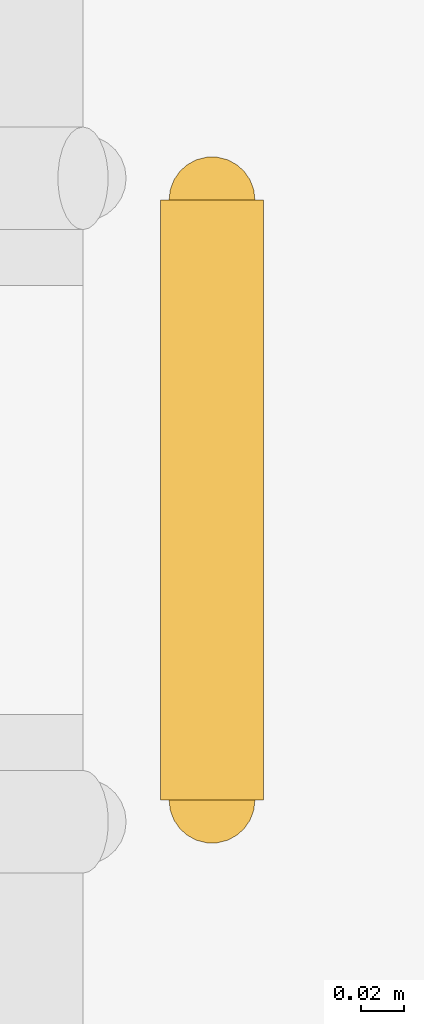
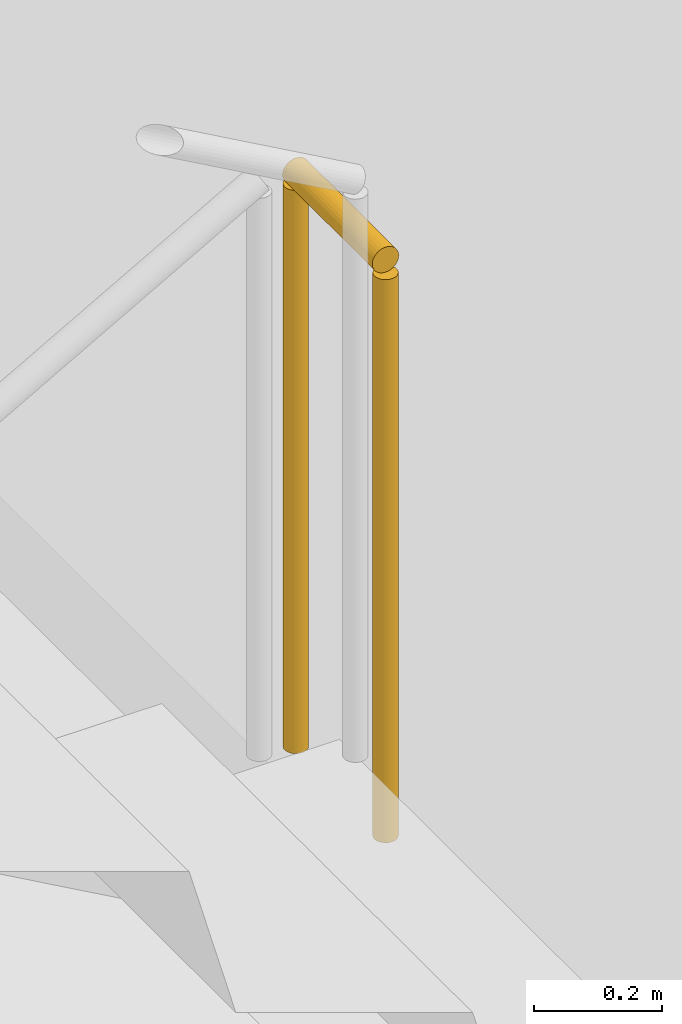
# One storey, part 26 of 30: 1 railing, 1 element without a shape of its own.
"""IFC4 building model written with IfcOpenShell, lengths in metres."""

import ifcopenshell
import ifcopenshell.guid

model = None  # the IFC model being written
_history = None  # IfcOwnerHistory: only IFC2X3 demands one
_inside = {}  # id of a spatial element -> (the spatial element, [elements in it])
_under = {}  # id of a project, library or spatial element -> (it, [spatial elements below it])
_declared = {}  # id of a project -> (the project, [libraries it declares])
_typed = {}  # id of a type object -> (the type object, [elements of that type])
_made_of = {}  # id of a material, layer set ... -> (it, [elements and type objects made of it])


def new_model(schema):
    """Start an empty IFC model of exactly this schema.

    Asked for "IFC4X3", IfcOpenShell would pick the latest addendum, in which some entities
    have other attributes; the version numbers below select the first issue.
    IFC2X3 requires an IfcOwnerHistory on every rooted entity: one is made here for all.
    """
    global model, _history
    if schema == "IFC4X3":
        model = ifcopenshell.file(schema_version=(4, 3, 0, 0))
    else:
        model = ifcopenshell.file(schema=schema)
    _inside.clear()
    _under.clear()
    _declared.clear()
    _typed.clear()
    _made_of.clear()
    _history = None
    if model.schema == "IFC2X3":
        org = make("IfcOrganization", Name="unknown")
        user = make(
            "IfcPersonAndOrganization",
            ThePerson=make("IfcPerson", FamilyName="unknown"),
            TheOrganization=org,
        )
        app = make(
            "IfcApplication",
            ApplicationDeveloper=org,
            Version="unknown",
            ApplicationFullName="unknown",
            ApplicationIdentifier="unknown",
        )
        _history = make(
            "IfcOwnerHistory",
            OwningUser=user,
            OwningApplication=app,
            ChangeAction="ADDED",
            CreationDate=0,
        )
    return model


def make(cls, **values):
    """One entity of the class cls with the attributes given. An attribute that is None is left unset."""
    return model.create_entity(
        cls, **{name: value for name, value in values.items() if value is not None}
    )


def rooted(cls, **values):
    """An entity with a GlobalId (a new one), such as an element, a storey or a relation."""
    return make(cls, GlobalId=ifcopenshell.guid.new(), OwnerHistory=_history, **values)


def si_unit(unit_type, name, prefix=None):
    """IfcSIUnit, for example si_unit("LENGTHUNIT", "METRE", prefix="MILLI")."""
    return make("IfcSIUnit", UnitType=unit_type, Prefix=prefix, Name=name)


def assignment(units):
    """IfcUnitAssignment: the units of a project."""
    return None if units is None else make("IfcUnitAssignment", Units=units)


def point(xyz):
    """IfcCartesianPoint."""
    return None if xyz is None else make("IfcCartesianPoint", Coordinates=xyz)


def direction(xyz):
    """IfcDirection."""
    return None if xyz is None else make("IfcDirection", DirectionRatios=xyz)


def frame(location, z_axis=None, x_axis=None):
    """IfcAxis2Placement3D, a coordinate frame: its origin and axes. An axis left out is left unset."""
    return make(
        "IfcAxis2Placement3D",
        Location=point(location),
        Axis=direction(z_axis),
        RefDirection=direction(x_axis),
    )


def frame_2d(location, x_axis=None):
    """IfcAxis2Placement2D, a coordinate frame in the plane: its origin and x axis."""
    return make(
        "IfcAxis2Placement2D", Location=point(location), RefDirection=direction(x_axis)
    )


def origin():
    """The frame at (0, 0, 0) with its axes left unset."""
    return frame((0.0, 0.0, 0.0))


def origin_2d():
    """The frame at (0, 0) in the plane with its x axis left unset."""
    return frame_2d((0.0, 0.0))


def place(relative_to, where):
    """IfcLocalPlacement: puts the frame where relative to a parent placement (None: the world)."""
    return make(
        "IfcLocalPlacement", PlacementRelTo=relative_to, RelativePlacement=where
    )


def context(
    kind, dimensions, precision=None, world=None, true_north=None, identifier=None
):
    """IfcGeometricRepresentationContext, for example the 3D "Model" context."""
    return make(
        "IfcGeometricRepresentationContext",
        ContextIdentifier=identifier,
        ContextType=kind,
        CoordinateSpaceDimension=dimensions,
        Precision=precision,
        WorldCoordinateSystem=world,
        TrueNorth=true_north,
    )


def subcontext(parent, identifier, kind, view, scale=None):
    """IfcGeometricRepresentationSubContext, for example "Body" below "Model"."""
    return make(
        "IfcGeometricRepresentationSubContext",
        ContextIdentifier=identifier,
        ContextType=kind,
        ParentContext=parent,
        TargetScale=scale,
        TargetView=view,
    )


def project(units=None, contexts=None):
    """IfcProject with its units and contexts."""
    return rooted(
        "IfcProject",
        Name="project",
        RepresentationContexts=contexts,
        UnitsInContext=assignment(units),
    )


def spatial(cls, under=None, at=None, **own):
    """A site, building, storey or space (cls), placed at a placement, below another one or the project."""
    s = rooted(cls, ObjectPlacement=at, **own)
    if under is not None:
        _under.setdefault(under.id(), (under, []))[1].append(s)
    return s


def profile(cls, at=None, kind="AREA", **sizes):
    """A parametric profile (cls). Its sizes go by their IFC names, for example OverallWidth=200.0."""
    return make(cls, ProfileType=kind, Position=at, **sizes)


def circle(**sizes):
    """IfcCircleProfileDef."""
    return profile("IfcCircleProfileDef", **sizes)


def extrude(swept, where, along, depth):
    """IfcExtrudedAreaSolid: the profile swept, set in the frame where, extruded along a direction by depth."""
    return make(
        "IfcExtrudedAreaSolid",
        SweptArea=swept,
        Position=where,
        ExtrudedDirection=direction(along),
        Depth=depth,
    )


def shape(context_of_items, identifier, shape_type, items):
    """IfcShapeRepresentation: the items that make up one representation, for example the "Body"."""
    return make(
        "IfcShapeRepresentation",
        ContextOfItems=context_of_items,
        RepresentationIdentifier=identifier,
        RepresentationType=shape_type,
        Items=items,
    )


def material(Name=None, Category=None):
    """IfcMaterial."""
    return make("IfcMaterial", Name=Name, Category=Category)


def made_of(thing, what):
    """Note that an element or type object is made of a material, layer set ...; save() writes the relation."""
    if what is not None:
        _made_of.setdefault(what.id(), (what, []))[1].append(thing)
    return thing


def type_object(cls, material=None, **own):
    """A type object (cls), such as IfcWallType, which elements share."""
    return made_of(rooted(cls, **own), material)


def element(
    cls,
    number,
    at=None,
    inside=None,
    cuts=None,
    type_object=None,
    material=None,
    context=None,
    identifier="Body",
    shape_type=None,
    held_by="IfcProductDefinitionShape",
    body=None,
    shapes=None,
    **own,
):
    """One element of the class cls, such as IfcWall. Its Tag is "e" and its number.

    at: its placement. inside: the storey or other place that contains it. cuts: it is an
    opening in that element (IfcRelVoidsElement). A single representation is given by context,
    identifier, shape_type and body (its items); several are given by shapes. held_by: the class
    of the entity that holds the representations. save() writes the other relations.
    """
    e = rooted(cls, Tag="e%d" % number, ObjectPlacement=at, **own)
    if body is not None:
        shapes = [shape(context, identifier, shape_type, body)]
    if shapes is not None:
        e.Representation = make(held_by, Representations=shapes)
    if inside is not None:
        _inside.setdefault(inside.id(), (inside, []))[1].append(e)
    if cuts is not None:
        rooted(
            "IfcRelVoidsElement", RelatingBuildingElement=cuts, RelatedOpeningElement=e
        )
    if type_object is not None:
        _typed.setdefault(type_object.id(), (type_object, []))[1].append(e)
    return made_of(e, material)


def aggregate(whole, parts):
    """IfcRelAggregates: a whole, such as a stair, and the parts it consists of."""
    return rooted("IfcRelAggregates", RelatingObject=whole, RelatedObjects=parts)


def save(model, path):
    """Write the relations noted so far, then the file.

    IfcRelAggregates (storeys below a building ...), IfcRelContainedInSpatialStructure (elements
    in a storey), IfcRelDefinesByType, IfcRelAssociatesMaterial and IfcRelDeclares: one each for
    every whole, place, type object, material and project.
    """
    for whole, parts in _under.values():
        aggregate(whole, parts)
    for where, things in _inside.values():
        rooted(
            "IfcRelContainedInSpatialStructure",
            RelatedElements=things,
            RelatingStructure=where,
        )
    for kind, things in _typed.values():
        rooted("IfcRelDefinesByType", RelatedObjects=things, RelatingType=kind)
    for what, things in _made_of.values():
        rooted("IfcRelAssociatesMaterial", RelatedObjects=things, RelatingMaterial=what)
    for by, libraries in _declared.values():
        rooted("IfcRelDeclares", RelatingContext=by, RelatedDefinitions=libraries)
    model.write(path)


model = new_model("IFC4")

# Units and contexts
model_context = context("Model", 3, precision=1e-05, world=origin(), true_north=direction((0.0, 1.0)))
body_context = subcontext(model_context, "Body", "Model", "MODEL_VIEW")
ifc_project = project(units=[si_unit("LENGTHUNIT", "METRE"), si_unit("AREAUNIT", "SQUARE_METRE"), si_unit("VOLUMEUNIT", "CUBIC_METRE"), si_unit("PLANEANGLEUNIT", "RADIAN"), si_unit("MASSUNIT", "GRAM", prefix="KILO")], contexts=[model_context])

# Site, building, storey
site_placement = place(None, origin())
site = spatial("IfcSite", under=ifc_project, at=site_placement, CompositionType="ELEMENT")
building_placement = place(site_placement, origin())
building = spatial("IfcBuilding", under=site, at=building_placement, Name="Kolvaren Corner Interchange", CompositionType="ELEMENT")
storey_placement = place(building_placement, frame((0.0, 0.0, -7.199951171875)))
storey = spatial("IfcBuildingStorey", under=building, at=storey_placement, Name="B1", CompositionType="ELEMENT", Elevation=-7.199951171875)

# Stair, railing
ifc_material_1 = material(Name="Concrete C35/45", Category="concrete")
stair_type = type_object("IfcStairType", Name="ST-PL-2100", PredefinedType="HALF_TURN_STAIR", material=ifc_material_1)
stair_placement = place(storey_placement, origin())
stair = element("IfcStair", 1, at=stair_placement, inside=storey, type_object=stair_type, Name="Metro Island Platform West Transfer Stair B1 to L01 Stair", PredefinedType="HALF_TURN_STAIR")
ifc_material_2 = material(Name="Powder-Coated Steel Stairwell Guardrail", Category="steel")
railing_type = type_object("IfcRailingType", Name="RLT-STAIR-GRD1120", PredefinedType="GUARDRAIL", material=ifc_material_2)
railing_placement = place(storey_placement, frame((87.93994140625, 45.840087890625, 3.599853515625)))
railing = element("IfcRailing", 2, at=railing_placement, type_object=railing_type, Name="Metro Island Platform West Transfer Stair B1 Half Landing Well Guardrail", PredefinedType="GUARDRAIL", context=body_context, shape_type="SweptSolid", body=[
    extrude(circle(Radius=0.02392578125, at=origin_2d()), frame((0.0, 0.0, 1.09619140625), z_axis=(0.0, -1.0, 0.0), x_axis=(1.0, 0.0, 0.0)), (0.0, 0.0, 1.0), 0.280029296875),
    extrude(circle(Radius=0.02001953125, at=origin_2d()), origin(), (0.0, 0.0, 1.0), 1.072021484375),
    extrude(circle(Radius=0.02001953125, at=origin_2d()), frame((0.0, -0.280029296875, 0.0)), (0.0, 0.0, 1.0), 1.072021484375),
])
aggregate(stair, [railing])

save(model, "model.ifc")
